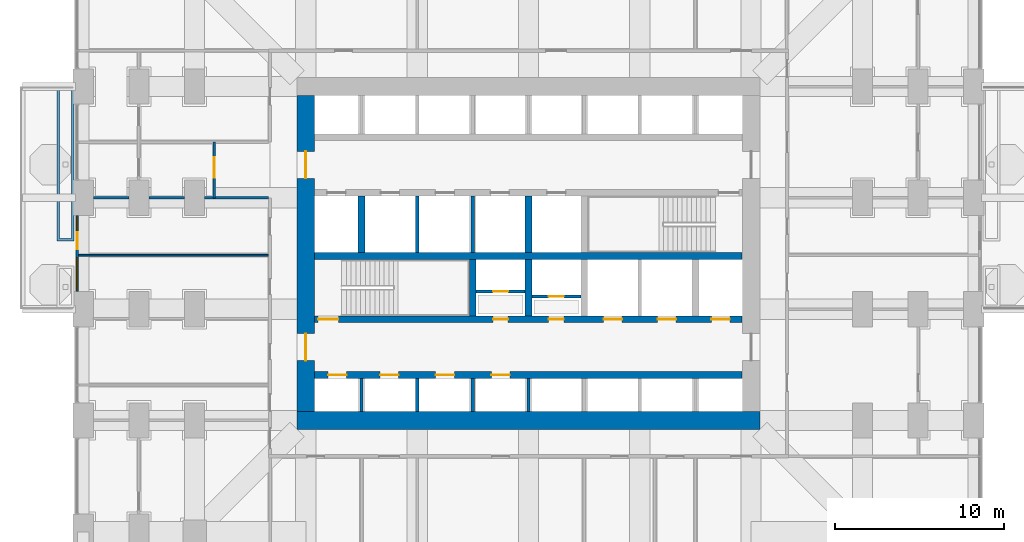
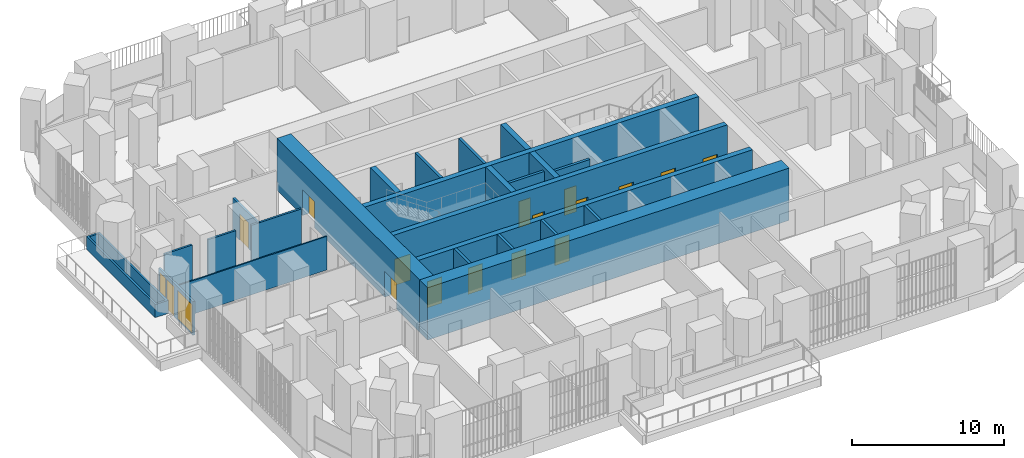
# One storey, part 18 of 26: 24 walls, 16 doors, 2 windows, 18 openings.
"""IFC4 building model written with IfcOpenShell, lengths in metres."""

from ifc_helpers import new_model, si_unit, direction, frame, frame_2d, origin, place, context, subcontext, project, spatial, polyline, rectangle, outline, extrude, material, layer, layer_set, type_object, element, fill, save


model = new_model("IFC4")

# Units and contexts
model_context = context("Model", 3, precision=1e-05, world=origin(), true_north=direction((0.0, 1.0)))
body_context = subcontext(model_context, "Body", "Model", "MODEL_VIEW")
ifc_project = project(units=[si_unit("LENGTHUNIT", "METRE"), si_unit("AREAUNIT", "SQUARE_METRE"), si_unit("VOLUMEUNIT", "CUBIC_METRE"), si_unit("PLANEANGLEUNIT", "RADIAN"), si_unit("MASSUNIT", "GRAM", prefix="KILO")], contexts=[model_context])

# Site, building, storey
site_placement = place(None, origin())
site = spatial("IfcSite", under=ifc_project, at=site_placement, CompositionType="ELEMENT")
building_placement = place(site_placement, origin())
building = spatial("IfcBuilding", under=site, at=building_placement, Name="Cobogo Forest Laboratory Tower", CompositionType="ELEMENT")
storey_placement = place(building_placement, frame((0.0, 0.0, 42.300048828125)))
storey = spatial("IfcBuildingStorey", under=building, at=storey_placement, Name="L09", CompositionType="ELEMENT", Elevation=42.300048828125)

# Wall, openings, doors
ifc_material_1 = material(Name="Concrete HA-50 (C50/60)", Category="concrete")
ifc_layer_1 = layer(ifc_material_1, 0.39990234375)
ifc_layer_set_1 = layer_set([ifc_layer_1], Name="CI400 core inner wall 400")
wall_type_1 = type_object("IfcWallType", Name="CI400 core inner wall 400", PredefinedType="SHEAR", material=ifc_layer_set_1)
wall_1_placement = place(storey_placement, frame((13.72509765625, 15.89990234375, 0.0), z_axis=(0.0, 0.0, 1.0), x_axis=(1.0, 0.0, 0.0)))
wall_1 = element("IfcWall", 1, at=wall_1_placement, inside=storey, type_object=wall_type_1, Name="Core wall CI-15.9 L09", PredefinedType="SHEAR", context=body_context, shape_type="SweptSolid", body=[
    extrude(rectangle(XDim=25.349853515625, YDim=0.39990234375, at=frame_2d((12.6748046875, 0.0))), origin(), (0.0, 0.0, 1.0), 4.199951171875),
])
opening_1_placement = place(wall_1_placement, frame((0.78759765625, 0.0, 0.0)))
opening_1 = element("IfcOpeningElement", 2, at=opening_1_placement, cuts=wall_1, Name="Opening L09-LD-LA1", PredefinedType="OPENING", context=body_context, shape_type="SweptSolid", body=[
    extrude(rectangle(XDim=1.10009765625, YDim=2.10009765625, at=frame_2d((0.550048828125, 1.050048828125))), frame((0.0, 0.2099609375, 0.0), z_axis=(0.0, -1.0, 0.0), x_axis=(1.0, 0.0, 0.0)), (0.0, 0.0, 1.0), 0.419921875),
])
opening_2_placement = place(wall_1_placement, frame((3.875, 0.0, 0.0)))
opening_2 = element("IfcOpeningElement", 3, at=opening_2_placement, cuts=wall_1, Name="Opening L09-LD-LA2", PredefinedType="OPENING", context=body_context, shape_type="SweptSolid", body=[
    extrude(rectangle(XDim=1.10009765625, YDim=2.10009765625, at=frame_2d((0.550048828125, 1.050048828125))), frame((0.0, 0.2099609375, 0.0), z_axis=(0.0, -1.0, 0.0), x_axis=(1.0, 0.0, 0.0)), (0.0, 0.0, 1.0), 0.419921875),
])
opening_3_placement = place(wall_1_placement, frame((7.175048828125, 0.0, 0.0)))
opening_3 = element("IfcOpeningElement", 4, at=opening_3_placement, cuts=wall_1, Name="Opening L09-LD-LA3", PredefinedType="OPENING", context=body_context, shape_type="SweptSolid", body=[
    extrude(rectangle(XDim=1.10009765625, YDim=2.10009765625, at=frame_2d((0.550048828125, 1.050048828125))), frame((0.0, 0.2099609375, 0.0), z_axis=(0.0, -1.0, 0.0), x_axis=(1.0, 0.0, 0.0)), (0.0, 0.0, 1.0), 0.419921875),
])
opening_4_placement = place(wall_1_placement, frame((10.47509765625, 0.0, 0.0)))
opening_4 = element("IfcOpeningElement", 5, at=opening_4_placement, cuts=wall_1, Name="Opening L09-LD-LA4", PredefinedType="OPENING", context=body_context, shape_type="SweptSolid", body=[
    extrude(rectangle(XDim=1.10009765625, YDim=2.10009765625, at=frame_2d((0.550048828125, 1.050048828125))), frame((0.0, 0.2099609375, 0.0), z_axis=(0.0, -1.0, 0.0), x_axis=(1.0, 0.0, 0.0)), (0.0, 0.0, 1.0), 0.419921875),
])
ifc_material_2 = material(Name="Stainless steel lift door", Category="steel")
door_type_1 = type_object("IfcDoorType", Name="LD lift landing door 1100", OperationType="DOUBLE_DOOR_SLIDING", PredefinedType="DOOR", material=ifc_material_2)
door_1_placement = place(opening_1_placement, origin())
door_1 = element("IfcDoor", 6, at=door_1_placement, inside=storey, type_object=door_type_1, Name="Lift landing door LA1 L09", OperationType="DOUBLE_DOOR_SLIDING", OverallHeight=2.10009765625, OverallWidth=1.10009765625, PredefinedType="DOOR", context=body_context, shape_type="SweptSolid", body=[
    extrude(rectangle(XDim=1.10009765625, YDim=2.10009765625, at=frame_2d((0.550048828125, 1.050048828125))), frame((0.0, 0.02490234375, 0.0), z_axis=(0.0, -1.0, 0.0), x_axis=(1.0, 0.0, 0.0)), (0.0, 0.0, 1.0), 0.050048828125),
])
fill(opening_1, door_1)
door_2_placement = place(opening_2_placement, origin())
door_2 = element("IfcDoor", 7, at=door_2_placement, inside=storey, type_object=door_type_1, Name="Lift landing door LA2 L09", OperationType="DOUBLE_DOOR_SLIDING", OverallHeight=2.10009765625, OverallWidth=1.10009765625, PredefinedType="DOOR", context=body_context, shape_type="SweptSolid", body=[
    extrude(rectangle(XDim=1.10009765625, YDim=2.10009765625, at=frame_2d((0.550048828125, 1.050048828125))), frame((0.0, 0.02490234375, 0.0), z_axis=(0.0, -1.0, 0.0), x_axis=(1.0, 0.0, 0.0)), (0.0, 0.0, 1.0), 0.050048828125),
])
fill(opening_2, door_2)
door_3_placement = place(opening_3_placement, origin())
door_3 = element("IfcDoor", 8, at=door_3_placement, inside=storey, type_object=door_type_1, Name="Lift landing door LA3 L09", OperationType="DOUBLE_DOOR_SLIDING", OverallHeight=2.10009765625, OverallWidth=1.10009765625, PredefinedType="DOOR", context=body_context, shape_type="SweptSolid", body=[
    extrude(rectangle(XDim=1.10009765625, YDim=2.10009765625, at=frame_2d((0.550048828125, 1.050048828125))), frame((0.0, 0.02490234375, 0.0), z_axis=(0.0, -1.0, 0.0), x_axis=(1.0, 0.0, 0.0)), (0.0, 0.0, 1.0), 0.050048828125),
])
fill(opening_3, door_3)
door_4_placement = place(opening_4_placement, origin())
door_4 = element("IfcDoor", 9, at=door_4_placement, inside=storey, type_object=door_type_1, Name="Lift landing door LA4 L09", OperationType="DOUBLE_DOOR_SLIDING", OverallHeight=2.10009765625, OverallWidth=1.10009765625, PredefinedType="DOOR", context=body_context, shape_type="SweptSolid", body=[
    extrude(rectangle(XDim=1.10009765625, YDim=2.10009765625, at=frame_2d((0.550048828125, 1.050048828125))), frame((0.0, 0.02490234375, 0.0), z_axis=(0.0, -1.0, 0.0), x_axis=(1.0, 0.0, 0.0)), (0.0, 0.0, 1.0), 0.050048828125),
])
fill(opening_4, door_4)

wall_2_placement = place(storey_placement, frame((13.72509765625, 19.199951171875, 0.0), z_axis=(0.0, 0.0, 1.0), x_axis=(1.0, 0.0, 0.0)))
wall_2 = element("IfcWall", 10, at=wall_2_placement, inside=storey, type_object=wall_type_1, Name="Core wall CI-19.2 L09", PredefinedType="SHEAR", context=body_context, shape_type="SweptSolid", body=[
    extrude(rectangle(XDim=25.349853515625, YDim=0.39990234375, at=frame_2d((12.6748046875, 0.0))), origin(), (0.0, 0.0, 1.0), 4.199951171875),
])
opening_5_placement = place(wall_2_placement, frame((10.574951171875, 0.0, 0.0)))
opening_5 = element("IfcOpeningElement", 11, at=opening_5_placement, cuts=wall_2, Name="Opening L09-D21", PredefinedType="OPENING", context=body_context, shape_type="SweptSolid", body=[
    extrude(rectangle(XDim=0.89990234375, YDim=2.10009765625, at=frame_2d((0.449951171875, 1.050048828125))), frame((0.0, 0.2099609375, 0.0), z_axis=(0.0, -1.0, 0.0), x_axis=(1.0, 0.0, 0.0)), (0.0, 0.0, 1.0), 0.419921875),
])
opening_6_placement = place(wall_2_placement, frame((13.875, 0.0, 0.0)))
opening_6 = element("IfcOpeningElement", 12, at=opening_6_placement, cuts=wall_2, Name="Opening L09-D22", PredefinedType="OPENING", context=body_context, shape_type="SweptSolid", body=[
    extrude(rectangle(XDim=0.89990234375, YDim=2.10009765625, at=frame_2d((0.449951171875, 1.050048828125))), frame((0.0, 0.2099609375, 0.0), z_axis=(0.0, -1.0, 0.0), x_axis=(1.0, 0.0, 0.0)), (0.0, 0.0, 1.0), 0.419921875),
])
opening_7_placement = place(wall_2_placement, frame((0.199951171875, 0.0, 0.0)))
opening_7 = element("IfcOpeningElement", 13, at=opening_7_placement, cuts=wall_2, Name="Opening L09-D20", PredefinedType="OPENING", context=body_context, shape_type="SweptSolid", body=[
    extrude(rectangle(XDim=1.199951171875, YDim=2.10009765625, at=frame_2d((0.60009765625, 1.050048828125))), frame((0.0, 0.2099609375, 0.0), z_axis=(0.0, -1.0, 0.0), x_axis=(1.0, 0.0, 0.0)), (0.0, 0.0, 1.0), 0.419921875),
])
opening_8_placement = place(wall_2_placement, frame((23.512451171875, 0.0, 0.0)))
opening_8 = element("IfcOpeningElement", 14, at=opening_8_placement, cuts=wall_2, Name="Opening L09-LD-FL2", PredefinedType="OPENING", context=body_context, shape_type="SweptSolid", body=[
    extrude(rectangle(XDim=1.10009765625, YDim=2.10009765625, at=frame_2d((0.550048828125, 1.050048828125))), frame((0.0, 0.2099609375, 0.0), z_axis=(0.0, -1.0, 0.0), x_axis=(1.0, 0.0, 0.0)), (0.0, 0.0, 1.0), 0.419921875),
])
opening_9_placement = place(wall_2_placement, frame((17.125, 0.0, 0.0)))
opening_9 = element("IfcOpeningElement", 15, at=opening_9_placement, cuts=wall_2, Name="Opening L09-LD-LS1", PredefinedType="OPENING", context=body_context, shape_type="SweptSolid", body=[
    extrude(rectangle(XDim=1.10009765625, YDim=2.10009765625, at=frame_2d((0.550048828125, 1.050048828125))), frame((0.0, 0.2099609375, 0.0), z_axis=(0.0, -1.0, 0.0), x_axis=(1.0, 0.0, 0.0)), (0.0, 0.0, 1.0), 0.419921875),
])
opening_10_placement = place(wall_2_placement, frame((20.324951171875, 0.0, 0.0)))
opening_10 = element("IfcOpeningElement", 16, at=opening_10_placement, cuts=wall_2, Name="Opening L09-LD-LS2", PredefinedType="OPENING", context=body_context, shape_type="SweptSolid", body=[
    extrude(rectangle(XDim=1.10009765625, YDim=2.10009765625, at=frame_2d((0.550048828125, 1.050048828125))), frame((0.0, 0.2099609375, 0.0), z_axis=(0.0, -1.0, 0.0), x_axis=(1.0, 0.0, 0.0)), (0.0, 0.0, 1.0), 0.419921875),
])
ifc_material_3 = material(Name="Steel fire door", Category="steel")
door_type_2 = type_object("IfcDoorType", Name="DS1 protected stair door 1200 EI2 60", OperationType="SINGLE_SWING_LEFT", PredefinedType="DOOR", material=ifc_material_3)
door_5_placement = place(opening_7_placement, origin())
door_5 = element("IfcDoor", 17, at=door_5_placement, inside=storey, type_object=door_type_2, Name="Door L09-ST1", OperationType="SINGLE_SWING_LEFT", OverallHeight=2.10009765625, OverallWidth=1.199951171875, PredefinedType="DOOR", context=body_context, shape_type="SweptSolid", body=[
    extrude(rectangle(XDim=1.199951171875, YDim=2.10009765625, at=frame_2d((0.60009765625, 1.050048828125))), frame((0.0, 0.02490234375, 0.0), z_axis=(0.0, -1.0, 0.0), x_axis=(1.0, 0.0, 0.0)), (0.0, 0.0, 1.0), 0.050048828125),
])
fill(opening_7, door_5)
door_type_3 = type_object("IfcDoorType", Name="FD4 riser access door 900 EI2 60", OperationType="SINGLE_SWING_LEFT", PredefinedType="DOOR", material=ifc_material_3)
door_6_placement = place(opening_5_placement, origin())
door_6 = element("IfcDoor", 18, at=door_6_placement, inside=storey, type_object=door_type_3, Name="Door L09-R1V", OperationType="SINGLE_SWING_LEFT", OverallHeight=2.10009765625, OverallWidth=0.89990234375, PredefinedType="DOOR", context=body_context, shape_type="SweptSolid", body=[
    extrude(rectangle(XDim=0.89990234375, YDim=2.10009765625, at=frame_2d((0.449951171875, 1.050048828125))), frame((0.0, 0.02490234375, 0.0), z_axis=(0.0, -1.0, 0.0), x_axis=(1.0, 0.0, 0.0)), (0.0, 0.0, 1.0), 0.050048828125),
])
fill(opening_5, door_6)
door_7_placement = place(opening_6_placement, origin())
door_7 = element("IfcDoor", 19, at=door_7_placement, inside=storey, type_object=door_type_3, Name="Door L09-R2V", OperationType="SINGLE_SWING_RIGHT", OverallHeight=2.10009765625, OverallWidth=0.89990234375, PredefinedType="DOOR", context=body_context, shape_type="SweptSolid", body=[
    extrude(rectangle(XDim=0.89990234375, YDim=2.10009765625, at=frame_2d((0.449951171875, 1.050048828125))), frame((0.0, 0.02490234375, 0.0), z_axis=(0.0, -1.0, 0.0), x_axis=(1.0, 0.0, 0.0)), (0.0, 0.0, 1.0), 0.050048828125),
])
fill(opening_6, door_7)
door_8_placement = place(opening_8_placement, origin())
door_8 = element("IfcDoor", 20, at=door_8_placement, inside=storey, type_object=door_type_1, Name="Lift landing door FL2 L09", OperationType="DOUBLE_DOOR_SLIDING", OverallHeight=2.10009765625, OverallWidth=1.10009765625, PredefinedType="DOOR", context=body_context, shape_type="SweptSolid", body=[
    extrude(rectangle(XDim=1.10009765625, YDim=2.10009765625, at=frame_2d((0.550048828125, 1.050048828125))), frame((0.0, 0.02490234375, 0.0), z_axis=(0.0, -1.0, 0.0), x_axis=(1.0, 0.0, 0.0)), (0.0, 0.0, 1.0), 0.050048828125),
])
fill(opening_8, door_8)
door_9_placement = place(opening_9_placement, origin())
door_9 = element("IfcDoor", 21, at=door_9_placement, inside=storey, type_object=door_type_1, Name="Lift landing door LS1 L09", OperationType="DOUBLE_DOOR_SLIDING", OverallHeight=2.10009765625, OverallWidth=1.10009765625, PredefinedType="DOOR", context=body_context, shape_type="SweptSolid", body=[
    extrude(rectangle(XDim=1.10009765625, YDim=2.10009765625, at=frame_2d((0.550048828125, 1.050048828125))), frame((0.0, 0.02490234375, 0.0), z_axis=(0.0, -1.0, 0.0), x_axis=(1.0, 0.0, 0.0)), (0.0, 0.0, 1.0), 0.050048828125),
])
fill(opening_9, door_9)
door_10_placement = place(opening_10_placement, origin())
door_10 = element("IfcDoor", 22, at=door_10_placement, inside=storey, type_object=door_type_1, Name="Lift landing door LS2 L09", OperationType="DOUBLE_DOOR_SLIDING", OverallHeight=2.10009765625, OverallWidth=1.10009765625, PredefinedType="DOOR", context=body_context, shape_type="SweptSolid", body=[
    extrude(rectangle(XDim=1.10009765625, YDim=2.10009765625, at=frame_2d((0.550048828125, 1.050048828125))), frame((0.0, 0.02490234375, 0.0), z_axis=(0.0, -1.0, 0.0), x_axis=(1.0, 0.0, 0.0)), (0.0, 0.0, 1.0), 0.050048828125),
])
fill(opening_10, door_10)

# Walls
wall_3_placement = place(storey_placement, frame((13.72509765625, 22.949951171875, 0.0), z_axis=(0.0, 0.0, 1.0), x_axis=(1.0, 0.0, 0.0)))
element("IfcWall", 23, at=wall_3_placement, inside=storey, type_object=wall_type_1, Name="Core wall CI-22.95 L09", PredefinedType="SHEAR", context=body_context, shape_type="SweptSolid", body=[
    extrude(rectangle(XDim=25.349853515625, YDim=0.39990234375, at=frame_2d((12.6748046875, 0.0))), origin(), (0.0, 0.0, 1.0), 4.199951171875),
])
for number, where, z_axis, x_axis, name in (
    (24, (23.10009765625, 19.39990234375, 0.0), (0.0, 0.0, 1.0), (0.0, 1.0, 0.0), "Core wall CX-23.1 L09"),
    (25, (26.39990234375, 19.39990234375, 0.0), (0.0, 0.0, 1.0), (0.0, 1.0, 0.0), "Core wall CX-26.4S L09"),
    (26, (16.5, 23.14990234375, 0.0), (0.0, 0.0, 1.0), (0.0, 1.0, 0.0), "Core wall CX-16.5 L09"),
    (27, (26.39990234375, 23.14990234375, 0.0), (0.0, 0.0, 1.0), (0.0, 1.0, 0.0), "Core wall CX-26.4N L09"),
):
    element("IfcWall", number, at=place(storey_placement, frame(where, z_axis=z_axis, x_axis=x_axis)), inside=storey, type_object=wall_type_1, Name=name, PredefinedType="SHEAR", context=body_context, shape_type="SweptSolid", body=[
        extrude(rectangle(XDim=3.35009765625, YDim=0.39990234375, at=frame_2d((1.675048828125, 0.0))), origin(), (0.0, 0.0, 1.0), 4.199951171875),
    ])
ifc_layer_2 = layer(ifc_material_1, 1.050048828125)
ifc_layer_set_2 = layer_set([ifc_layer_2], Name="CW1050 core outer wall 1050")
wall_type_2 = type_object("IfcWallType", Name="CW1050 core outer wall 1050", PredefinedType="SHEAR", material=ifc_layer_set_2)
wall_4_placement = place(storey_placement, frame((12.675048828125, 13.199951171875, 0.0), z_axis=(0.0, 0.0, 1.0), x_axis=(1.0, 0.0, 0.0)))
element("IfcWall", 28, at=wall_4_placement, inside=storey, type_object=wall_type_2, Name="Core wall CO-S L09", PredefinedType="SHEAR", context=body_context, shape_type="SweptSolid", body=[
    extrude(rectangle(XDim=27.449951171875, YDim=1.050048828125, at=frame_2d((13.72509765625, 0.0))), origin(), (0.0, 0.0, 1.0), 4.199951171875),
])

# Wall, openings, doors
wall_5_placement = place(storey_placement, frame((13.199951171875, 32.47509765625, 0.0), z_axis=(0.0, 0.0, 1.0), x_axis=(0.0, -1.0, 0.0)))
wall_5 = element("IfcWall", 29, at=wall_5_placement, inside=storey, type_object=wall_type_2, Name="Core wall CO-W L09", PredefinedType="SHEAR", context=body_context, shape_type="SweptSolid", body=[
    extrude(rectangle(XDim=18.75, YDim=1.050048828125, at=frame_2d((9.375, 0.0))), origin(), (0.0, 0.0, 1.0), 4.199951171875),
])
opening_11_placement = place(wall_5_placement, frame((14.125, 0.0, 0.0)))
opening_11 = element("IfcOpeningElement", 30, at=opening_11_placement, cuts=wall_5, Name="Opening L09-D18", PredefinedType="OPENING", context=body_context, shape_type="SweptSolid", body=[
    extrude(rectangle(XDim=1.60009765625, YDim=2.10009765625, at=frame_2d((0.800048828125, 1.050048828125))), frame((0.0, 0.534912109375, 0.0), z_axis=(0.0, -1.0, 0.0), x_axis=(1.0, 0.0, 0.0)), (0.0, 0.0, 1.0), 1.070068359375),
])
opening_12_placement = place(wall_5_placement, frame((3.324951171875, 0.0, 0.0)))
opening_12 = element("IfcOpeningElement", 31, at=opening_12_placement, cuts=wall_5, Name="Opening L09-D34", PredefinedType="OPENING", context=body_context, shape_type="SweptSolid", body=[
    extrude(rectangle(XDim=1.60009765625, YDim=2.10009765625, at=frame_2d((0.800048828125, 1.050048828125))), frame((0.0, 0.534912109375, 0.0), z_axis=(0.0, -1.0, 0.0), x_axis=(1.0, 0.0, 0.0)), (0.0, 0.0, 1.0), 1.070068359375),
])
door_type_4 = type_object("IfcDoorType", Name="DS2 protected lobby door pair 1600 EI2 60", OperationType="DOUBLE_DOOR_DOUBLE_SWING", PredefinedType="DOOR", material=ifc_material_3)
door_11_placement = place(opening_11_placement, origin())
door_11 = element("IfcDoor", 32, at=door_11_placement, inside=storey, type_object=door_type_4, Name="Door L09-CO-W-S", OperationType="DOUBLE_DOOR_DOUBLE_SWING", OverallHeight=2.10009765625, OverallWidth=1.60009765625, PredefinedType="DOOR", context=body_context, shape_type="SweptSolid", body=[
    extrude(rectangle(XDim=1.60009765625, YDim=2.10009765625, at=frame_2d((0.800048828125, 1.050048828125))), frame((0.0, 0.02490234375, 0.0), z_axis=(0.0, -1.0, 0.0), x_axis=(1.0, 0.0, 0.0)), (0.0, 0.0, 1.0), 0.050048828125),
])
fill(opening_11, door_11)
door_12_placement = place(opening_12_placement, origin())
door_12 = element("IfcDoor", 33, at=door_12_placement, inside=storey, type_object=door_type_4, Name="Door L09-CO-W-N", OperationType="DOUBLE_DOOR_DOUBLE_SWING", OverallHeight=2.10009765625, OverallWidth=1.60009765625, PredefinedType="DOOR", context=body_context, shape_type="SweptSolid", body=[
    extrude(rectangle(XDim=1.60009765625, YDim=2.10009765625, at=frame_2d((0.800048828125, 1.050048828125))), frame((0.0, 0.02490234375, 0.0), z_axis=(0.0, -1.0, 0.0), x_axis=(1.0, 0.0, 0.0)), (0.0, 0.0, 1.0), 0.050048828125),
])
fill(opening_12, door_12)

# Wall, openings, door, windows
ifc_material_4 = material(Name="Aluminium framed glazed screen", Category="aluminium")
ifc_layer_3 = layer(ifc_material_4, 0.14990234375)
ifc_layer_set_3 = layer_set([ifc_layer_3], Name="GS1 glazed door screen 150")
wall_type_3 = type_object("IfcWallType", Name="GS1 glazed door screen 150", PredefinedType="SOLIDWALL", material=ifc_layer_set_3)
wall_6_placement = place(storey_placement, frame((-0.35009765625, 25.35009765625, 0.0), z_axis=(0.0, 0.0, 1.0), x_axis=(0.0, -1.0, 0.0)))
wall_6 = element("IfcWall", 34, at=wall_6_placement, inside=storey, type_object=wall_type_3, Name="Door screen BAL-W1 L09", PredefinedType="SOLIDWALL", context=body_context, shape_type="SweptSolid", body=[
    extrude(rectangle(XDim=4.5, YDim=0.14990234375, at=frame_2d((2.25, 0.0))), origin(), (0.0, 0.0, 1.0), 2.699951171875),
])
opening_13_placement = place(wall_6_placement, frame((1.0, 0.0, 0.0)))
opening_13 = element("IfcOpeningElement", 35, at=opening_13_placement, cuts=wall_6, Name="Opening L09-D27", PredefinedType="OPENING", context=body_context, shape_type="SweptSolid", body=[
    extrude(rectangle(XDim=1.0, YDim=2.39990234375, at=frame_2d((0.5, 1.199951171875))), frame((0.0, 0.0849609375, 0.0), z_axis=(0.0, -1.0, 0.0), x_axis=(1.0, 0.0, 0.0)), (0.0, 0.0, 1.0), 0.169921875),
])
opening_14_placement = place(wall_6_placement, frame((0.10009765625, 0.0, 0.10009765625)))
opening_14 = element("IfcOpeningElement", 36, at=opening_14_placement, cuts=wall_6, Name="Opening L09-W05", PredefinedType="OPENING", context=body_context, shape_type="SweptSolid", body=[
    extrude(rectangle(XDim=0.800048828125, YDim=2.300048828125, at=frame_2d((0.39990234375, 1.14990234375))), frame((0.0, 0.0849609375, 0.0), z_axis=(0.0, -1.0, 0.0), x_axis=(1.0, 0.0, 0.0)), (0.0, 0.0, 1.0), 0.169921875),
])
opening_15_placement = place(wall_6_placement, frame((2.5, 0.0, 0.10009765625)))
opening_15 = element("IfcOpeningElement", 37, at=opening_15_placement, cuts=wall_6, Name="Opening L09-W03", PredefinedType="OPENING", context=body_context, shape_type="SweptSolid", body=[
    extrude(rectangle(XDim=1.89990234375, YDim=2.300048828125, at=frame_2d((0.949951171875, 1.14990234375))), frame((0.0, 0.0849609375, 0.0), z_axis=(0.0, -1.0, 0.0), x_axis=(1.0, 0.0, 0.0)), (0.0, 0.0, 1.0), 0.169921875),
])
ifc_material_5 = material(Name="Aluminium glazed door", Category="aluminium")
door_type_5 = type_object("IfcDoorType", Name="DB1 balcony door 1000 glazed", OperationType="SINGLE_SWING_LEFT", PredefinedType="DOOR", material=ifc_material_5)
door_13_placement = place(opening_13_placement, origin())
door_13 = element("IfcDoor", 38, at=door_13_placement, inside=storey, type_object=door_type_5, Name="Door L09-BAL-W1", OperationType="SINGLE_SWING_LEFT", OverallHeight=2.39990234375, OverallWidth=1.0, PredefinedType="DOOR", context=body_context, shape_type="SweptSolid", body=[
    extrude(rectangle(XDim=1.0, YDim=2.39990234375, at=frame_2d((0.5, 1.199951171875))), frame((0.0, 0.02490234375, 0.0), z_axis=(0.0, -1.0, 0.0), x_axis=(1.0, 0.0, 0.0)), (0.0, 0.0, 1.0), 0.050048828125),
])
fill(opening_13, door_13)
ifc_material_6 = material(Name="Aluminium framed glazing", Category="aluminium")
window_type_1 = type_object("IfcWindowType", Name="WG3 fixed glazed light 1900x2300", PartitioningType="SINGLE_PANEL", PredefinedType="WINDOW", material=ifc_material_6)
window_1_placement = place(opening_15_placement, origin())
window_1 = element("IfcWindow", 39, at=window_1_placement, inside=storey, type_object=window_type_1, Name="Window L09-BAL-W1-2", OverallHeight=2.300048828125, OverallWidth=1.89990234375, PartitioningType="SINGLE_PANEL", PredefinedType="WINDOW", context=body_context, shape_type="SweptSolid", body=[
    extrude(rectangle(XDim=1.89990234375, YDim=2.300048828125, at=frame_2d((0.949951171875, 1.14990234375))), frame((0.0, 0.030029296875, 0.0), z_axis=(0.0, -1.0, 0.0), x_axis=(1.0, 0.0, 0.0)), (0.0, 0.0, 1.0), 0.06005859375),
])
fill(opening_15, window_1)
window_type_2 = type_object("IfcWindowType", Name="WG4 fixed glazed light 800x2300", PartitioningType="SINGLE_PANEL", PredefinedType="WINDOW", material=ifc_material_6)
window_2_placement = place(opening_14_placement, origin())
window_2 = element("IfcWindow", 40, at=window_2_placement, inside=storey, type_object=window_type_2, Name="Window L09-BAL-W1-1", OverallHeight=2.300048828125, OverallWidth=0.800048828125, PartitioningType="SINGLE_PANEL", PredefinedType="WINDOW", context=body_context, shape_type="SweptSolid", body=[
    extrude(rectangle(XDim=0.800048828125, YDim=2.300048828125, at=frame_2d((0.39990234375, 1.14990234375))), frame((0.0, 0.030029296875, 0.0), z_axis=(0.0, -1.0, 0.0), x_axis=(1.0, 0.0, 0.0)), (0.0, 0.0, 1.0), 0.06005859375),
])
fill(opening_14, window_2)

# Wall, opening, door
ifc_material_7 = material(Name="Gypsum board on steel studs", Category="steel")
ifc_layer_4 = layer(ifc_material_7, 0.14990234375)
ifc_layer_set_4 = layer_set([ifc_layer_4], Name="PT1 laboratory partition 150")
wall_type_4 = type_object("IfcWallType", Name="PT1 laboratory partition 150", PredefinedType="PARTITIONING", material=ifc_layer_set_4)
wall_7_placement = place(storey_placement, frame((7.77490234375, 26.39990234375, 0.0), z_axis=(0.0, 0.0, 1.0), x_axis=(0.0, 1.0, 0.0)))
wall_7 = element("IfcWall", 41, at=wall_7_placement, inside=storey, type_object=wall_type_4, Name="Partition NODE-W-1 L09", PredefinedType="PARTITIONING", context=body_context, shape_type="SweptSolid", body=[
    extrude(rectangle(XDim=3.300048828125, YDim=0.14990234375, at=frame_2d((1.64990234375, 0.0))), origin(), (0.0, 0.0, 1.0), 2.849853515625),
])
opening_16_placement = place(wall_7_placement, frame((1.199951171875, 0.0, 0.0)))
opening_16 = element("IfcOpeningElement", 42, at=opening_16_placement, cuts=wall_7, Name="Opening L09-D33", PredefinedType="OPENING", context=body_context, shape_type="SweptSolid", body=[
    extrude(rectangle(XDim=1.199951171875, YDim=2.10009765625, at=frame_2d((0.60009765625, 1.050048828125))), frame((0.0, 0.0849609375, 0.0), z_axis=(0.0, -1.0, 0.0), x_axis=(1.0, 0.0, 0.0)), (0.0, 0.0, 1.0), 0.169921875),
])
ifc_material_8 = material(Name="Timber door", Category="wood")
door_type_6 = type_object("IfcDoorType", Name="D2 laboratory door 1200 unequal pair", OperationType="DOUBLE_DOOR_SINGLE_SWING", PredefinedType="DOOR", material=ifc_material_8)
door_14_placement = place(opening_16_placement, origin())
door_14 = element("IfcDoor", 43, at=door_14_placement, inside=storey, type_object=door_type_6, Name="Door L09-W3", OperationType="DOUBLE_DOOR_SINGLE_SWING", OverallHeight=2.10009765625, OverallWidth=1.199951171875, PredefinedType="DOOR", context=body_context, shape_type="SweptSolid", body=[
    extrude(rectangle(XDim=1.199951171875, YDim=2.10009765625, at=frame_2d((0.60009765625, 1.050048828125))), frame((0.0, 0.02490234375, 0.0), z_axis=(0.0, -1.0, 0.0), x_axis=(1.0, 0.0, 0.0)), (0.0, 0.0, 1.0), 0.050048828125),
])
fill(opening_16, door_14)

# Walls
wall_8_placement = place(storey_placement, frame((0.60009765625, 26.39990234375, 0.0), z_axis=(0.0, 0.0, 1.0), x_axis=(1.0, 0.0, 0.0)))
element("IfcWall", 44, at=wall_8_placement, inside=storey, type_object=wall_type_4, Name="Partition CUT-W26.4-1 L09", PredefinedType="PARTITIONING", context=body_context, shape_type="SweptSolid", body=[
    extrude(rectangle(XDim=2.099853515625, YDim=0.14990234375, at=frame_2d((1.0498046875, 0.0))), origin(), (0.0, 0.0, 1.0), 2.849853515625),
])
wall_9_placement = place(storey_placement, frame((3.89990234375, 26.39990234375, 0.0), z_axis=(0.0, 0.0, 1.0), x_axis=(1.0, 0.0, 0.0)))
element("IfcWall", 45, at=wall_9_placement, inside=storey, type_object=wall_type_4, Name="Partition CUT-W26.4-2 L09", PredefinedType="PARTITIONING", context=body_context, shape_type="SweptSolid", body=[
    extrude(rectangle(XDim=2.10009765625, YDim=0.14990234375, at=frame_2d((1.050048828125, 0.0))), origin(), (0.0, 0.0, 1.0), 2.849853515625),
])
wall_10_placement = place(storey_placement, frame((7.199951171875, 26.39990234375, 0.0), z_axis=(0.0, 0.0, 1.0), x_axis=(1.0, 0.0, 0.0)))
element("IfcWall", 46, at=wall_10_placement, inside=storey, type_object=wall_type_4, Name="Partition CUT-W26.4-3 L09", PredefinedType="PARTITIONING", context=body_context, shape_type="SweptSolid", body=[
    extrude(rectangle(XDim=3.775146484375, YDim=0.14990234375, at=frame_2d((1.8876953125, 0.0))), origin(), (0.0, 0.0, 1.0), 2.849853515625),
])

# Wall, opening, door
ifc_layer_5 = layer(ifc_material_7, 0.199951171875)
ifc_layer_set_5 = layer_set([ifc_layer_5], Name="PT2 fire-rated corridor partition 200")
wall_type_5 = type_object("IfcWallType", Name="PT2 fire-rated corridor partition 200", PredefinedType="PARTITIONING", material=ifc_layer_set_5)
wall_11_placement = place(storey_placement, frame((23.300048828125, 20.85009765625, 0.0), z_axis=(0.0, 0.0, 1.0), x_axis=(1.0, 0.0, 0.0)))
wall_11 = element("IfcWall", 47, at=wall_11_placement, inside=storey, type_object=wall_type_5, Name="Partition RSPLIT-R1 L09", PredefinedType="PARTITIONING", context=body_context, shape_type="SweptSolid", body=[
    extrude(rectangle(XDim=2.89990234375, YDim=0.199951171875, at=frame_2d((1.449951171875, 0.0))), origin(), (0.0, 0.0, 1.0), 3.89990234375),
])
opening_17_placement = place(wall_11_placement, frame((1.0, 0.0, 0.0)))
opening_17 = element("IfcOpeningElement", 48, at=opening_17_placement, cuts=wall_11, Name="Opening L09-D24", PredefinedType="OPENING", context=body_context, shape_type="SweptSolid", body=[
    extrude(rectangle(XDim=0.89990234375, YDim=2.10009765625, at=frame_2d((0.449951171875, 1.050048828125))), frame((0.0, 0.10986328125, 0.0), z_axis=(0.0, -1.0, 0.0), x_axis=(1.0, 0.0, 0.0)), (0.0, 0.0, 1.0), 0.219970703125),
])
door_15_placement = place(opening_17_placement, origin())
door_15 = element("IfcDoor", 49, at=door_15_placement, inside=storey, type_object=door_type_3, Name="Door L09-R1", OperationType="SINGLE_SWING_RIGHT", OverallHeight=2.10009765625, OverallWidth=0.89990234375, PredefinedType="DOOR", context=body_context, shape_type="SweptSolid", body=[
    extrude(rectangle(XDim=0.89990234375, YDim=2.10009765625, at=frame_2d((0.449951171875, 1.050048828125))), frame((0.0, 0.02490234375, 0.0), z_axis=(0.0, -1.0, 0.0), x_axis=(1.0, 0.0, 0.0)), (0.0, 0.0, 1.0), 0.050048828125),
])
fill(opening_17, door_15)

wall_12_placement = place(storey_placement, frame((26.60009765625, 20.550048828125, 0.0), z_axis=(0.0, 0.0, 1.0), x_axis=(1.0, 0.0, 0.0)))
wall_12 = element("IfcWall", 50, at=wall_12_placement, inside=storey, type_object=wall_type_5, Name="Partition RSPLIT-R2 L09", PredefinedType="PARTITIONING", context=body_context, shape_type="SweptSolid", body=[
    extrude(rectangle(XDim=2.89990234375, YDim=0.199951171875, at=frame_2d((1.449951171875, 0.0))), origin(), (0.0, 0.0, 1.0), 3.89990234375),
])
opening_18_placement = place(wall_12_placement, frame((1.0, 0.0, 0.0)))
opening_18 = element("IfcOpeningElement", 51, at=opening_18_placement, cuts=wall_12, Name="Opening L09-D23", PredefinedType="OPENING", context=body_context, shape_type="SweptSolid", body=[
    extrude(rectangle(XDim=0.89990234375, YDim=2.10009765625, at=frame_2d((0.449951171875, 1.050048828125))), frame((0.0, 0.10986328125, 0.0), z_axis=(0.0, -1.0, 0.0), x_axis=(1.0, 0.0, 0.0)), (0.0, 0.0, 1.0), 0.219970703125),
])
door_16_placement = place(opening_18_placement, origin())
door_16 = element("IfcDoor", 52, at=door_16_placement, inside=storey, type_object=door_type_3, Name="Door L09-R2", OperationType="SINGLE_SWING_RIGHT", OverallHeight=2.10009765625, OverallWidth=0.89990234375, PredefinedType="DOOR", context=body_context, shape_type="SweptSolid", body=[
    extrude(rectangle(XDim=0.89990234375, YDim=2.10009765625, at=frame_2d((0.449951171875, 1.050048828125))), frame((0.0, 0.02490234375, 0.0), z_axis=(0.0, -1.0, 0.0), x_axis=(1.0, 0.0, 0.0)), (0.0, 0.0, 1.0), 0.050048828125),
])
fill(opening_18, door_16)

# Walls
ifc_layer_6 = layer(ifc_material_7, 0.10009765625)
ifc_layer_set_6 = layer_set([ifc_layer_6], Name="PT3 toilet partition 100")
wall_type_6 = type_object("IfcWallType", Name="PT3 toilet partition 100", PredefinedType="PARTITIONING", material=ifc_layer_set_6)
wall_13_placement = place(storey_placement, frame((-0.27001953125, 23.0, 0.0), z_axis=(0.0, 0.0, 1.0), x_axis=(1.0, 0.0, 0.0)))
element("IfcWall", 53, at=wall_13_placement, inside=storey, type_object=wall_type_6, Name="Partition SVC-W3-1 L09", PredefinedType="PARTITIONING", context=body_context, shape_type="SweptSolid", body=[
    extrude(rectangle(XDim=11.2451171875, YDim=0.10009765625, at=frame_2d((5.62255859375, 0.0))), origin(), (0.0, 0.0, 1.0), 2.699951171875),
])
ifc_material_9 = material(Name="Concrete HA-40 (C40/50)", Category="concrete")
ifc_layer_7 = layer(ifc_material_9, 0.14990234375)
ifc_layer_set_7 = layer_set([ifc_layer_7], Name="Planter box 1000x1050")
wall_type_7 = type_object("IfcWallType", Name="Planter box 1000x1050", PredefinedType="USERDEFINED", material=ifc_layer_set_7)
wall_14_placement = place(storey_placement, origin())
element("IfcWall", 54, at=wall_14_placement, inside=storey, type_object=wall_type_7, Name="Planter BAL-W1-2 L09", ObjectType="PLANTER", PredefinedType="USERDEFINED", context=body_context, shape_type="SweptSolid", body=[
    extrude(outline(polyline([(-1.550048828125, 23.85009765625), (-0.550048828125, 23.85009765625), (-0.550048828125, 32.89990234375), (-1.550048828125, 32.89990234375), (-1.550048828125, 23.85009765625)]), holes=[polyline([(-1.39990234375, 24.0), (-0.699951171875, 24.0), (-0.699951171875, 32.75), (-1.39990234375, 32.75), (-1.39990234375, 24.0)])]), origin(), (0.0, 0.0, 1.0), 1.050048828125),
])
ifc_material_10 = material(Name="Concrete block", Category="concrete")
ifc_layer_8 = layer(ifc_material_10, 0.199951171875)
ifc_layer_set_8 = layer_set([ifc_layer_8], Name="SW200 lift shaft separator 200")
wall_type_8 = type_object("IfcWallType", Name="SW200 lift shaft separator 200", PredefinedType="PARTITIONING", material=ifc_layer_set_8)
for number, where, z_axis, x_axis, name in (
    (55, (16.5, 13.72509765625, 0.0), (0.0, 0.0, 1.0), (0.0, 1.0, 0.0), "Core wall SEP-S1 L09"),
    (56, (19.800048828125, 13.72509765625, 0.0), (0.0, 0.0, 1.0), (0.0, 1.0, 0.0), "Core wall SEP-S2 L09"),
    (57, (23.10009765625, 13.72509765625, 0.0), (0.0, 0.0, 1.0), (0.0, 1.0, 0.0), "Core wall SEP-S3 L09"),
    (58, (26.39990234375, 13.72509765625, 0.0), (0.0, 0.0, 1.0), (0.0, 1.0, 0.0), "Core wall SEP-S4 L09"),
):
    element("IfcWall", number, at=place(storey_placement, frame(where, z_axis=z_axis, x_axis=x_axis)), inside=storey, type_object=wall_type_8, Name=name, PredefinedType="PARTITIONING", context=body_context, shape_type="SweptSolid", body=[
        extrude(rectangle(XDim=1.974853515625, YDim=0.199951171875, at=frame_2d((0.9873046875, 0.0))), origin(), (0.0, 0.0, 1.0), 4.199951171875),
    ])
for number, where, z_axis, x_axis, name in (
    (59, (19.800048828125, 23.14990234375, 0.0), (0.0, 0.0, 1.0), (0.0, 1.0, 0.0), "Core wall SEP-M19.8 L09"),
    (60, (23.10009765625, 23.14990234375, 0.0), (0.0, 0.0, 1.0), (0.0, 1.0, 0.0), "Core wall SEP-M23.1 L09"),
):
    element("IfcWall", number, at=place(storey_placement, frame(where, z_axis=z_axis, x_axis=x_axis)), inside=storey, type_object=wall_type_8, Name=name, PredefinedType="PARTITIONING", context=body_context, shape_type="SweptSolid", body=[
        extrude(rectangle(XDim=3.35009765625, YDim=0.199951171875, at=frame_2d((1.675048828125, 0.0))), origin(), (0.0, 0.0, 1.0), 4.199951171875),
    ])

save(model, "model.ifc")
